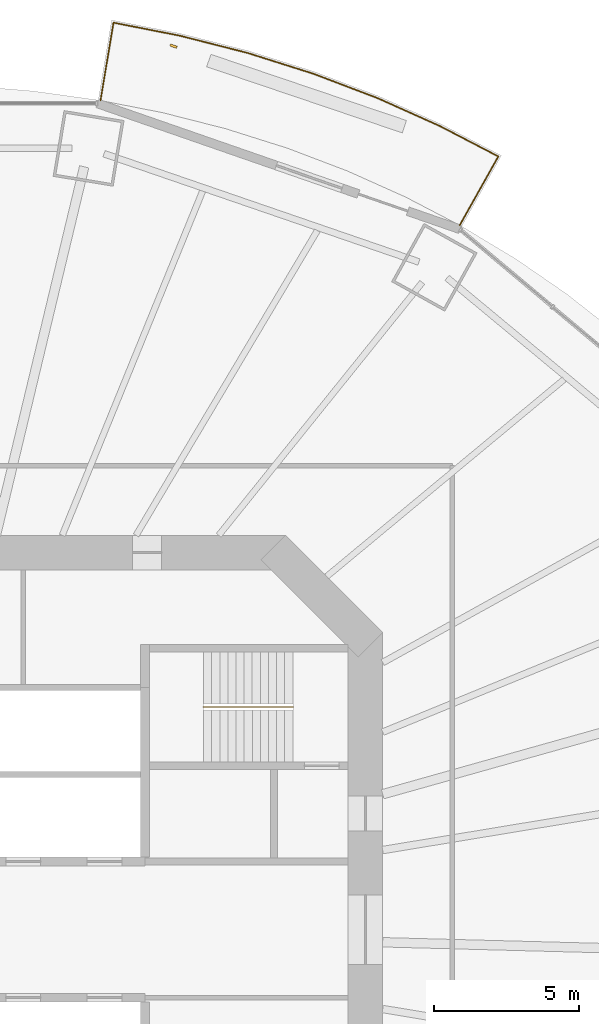
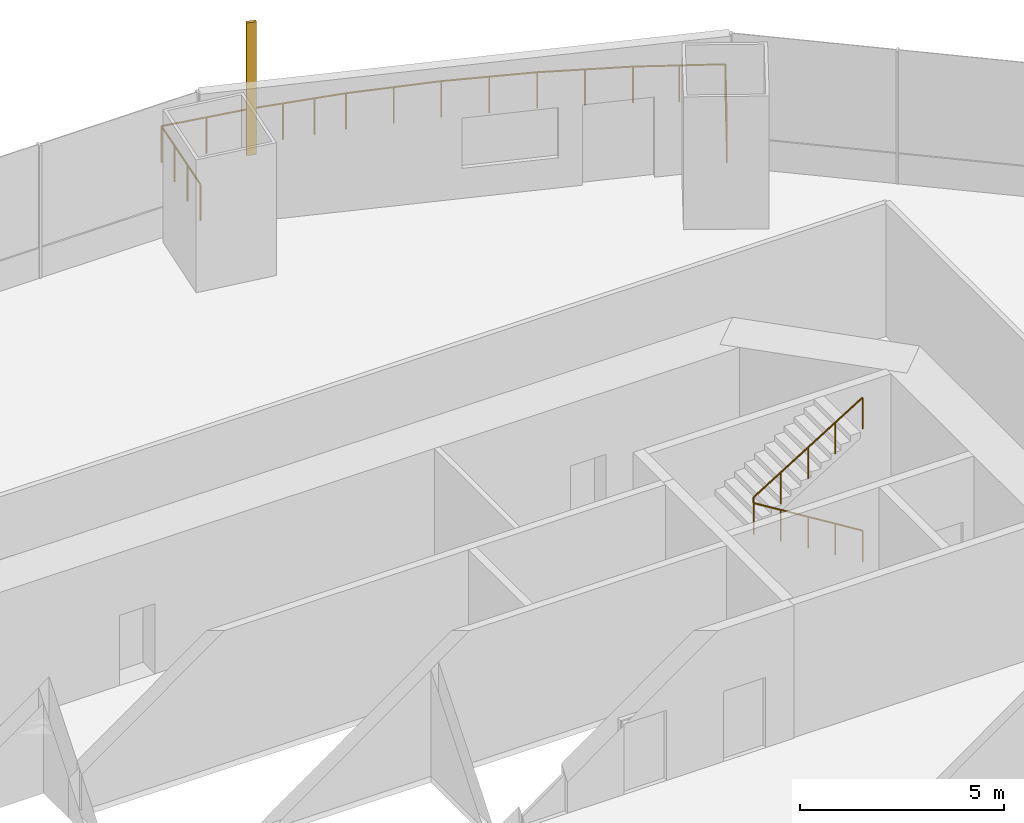
# One storey, part 20 of 22: 2 railings, 1 shading device.
"""IFC4 building model written with IfcOpenShell, lengths in metres."""

from ifc_helpers import new_model, si_unit, direction, frame, origin, origin_2d, place, context, subcontext, project, spatial, rectangle, circle, extrude, material, material_profile, profile_set, type_object, element, save


model = new_model("IFC4")

# Units and contexts
model_context = context("Model", 3, precision=1e-05, world=origin(), true_north=direction((0.0, 1.0)))
body_context = subcontext(model_context, "Body", "Model", "MODEL_VIEW")
ifc_project = project(units=[si_unit("LENGTHUNIT", "METRE"), si_unit("AREAUNIT", "SQUARE_METRE"), si_unit("VOLUMEUNIT", "CUBIC_METRE"), si_unit("PLANEANGLEUNIT", "RADIAN"), si_unit("MASSUNIT", "GRAM", prefix="KILO")], contexts=[model_context])

# Site, building, storey
site_placement = place(None, origin())
site = spatial("IfcSite", under=ifc_project, at=site_placement, CompositionType="ELEMENT")
building_placement = place(site_placement, origin())
building = spatial("IfcBuilding", under=site, at=building_placement, Name="Marenthal Gate Tower", CompositionType="ELEMENT")
storey_placement = place(building_placement, frame((0.0, 0.0, 95.25)))
storey = spatial("IfcBuildingStorey", under=building, at=storey_placement, Name="L19", CompositionType="ELEMENT", Elevation=95.25)

# Railings
ifc_material_1 = material(Name="Stainless steel", Category="steel")
railing_type_1 = type_object("IfcRailingType", Name="Balcony guard 1100", PredefinedType="GUARDRAIL", material=ifc_material_1)
railing_1_placement = place(storey_placement, frame((6.86572265625, 28.59912109375, 0.0)))
element("IfcRailing", 1, at=railing_1_placement, inside=storey, type_object=railing_type_1, Name="Balcony guard L19 bay 3", PredefinedType="GUARDRAIL", context=body_context, shape_type="SweptSolid", body=[
    extrude(circle(Radius=0.02392578125, at=origin_2d()), frame((0.0, 0.0, 1.076171875), z_axis=(0.164584914213, 0.986253111889, -0.014717516865), x_axis=(-0.986359943071, 0.164602742092, 0.0)), (0.0, 0.0, 1.0), 2.720458984375),
    extrude(circle(Radius=0.02392578125, at=origin_2d()), frame((0.44775390625, 2.68310546875, 1.0361328125), z_axis=(0.981231836587, -0.192831747562, 0.0), x_axis=(0.192831747562, 0.981231836587, 0.0)), (0.0, 0.0, 1.0), 2.330810546875),
    extrude(circle(Radius=0.02392578125, at=origin_2d()), frame((2.73486328125, 2.233642578125, 1.0361328125), z_axis=(0.969123243842, -0.246576840449, 0.0), x_axis=(0.246576840449, 0.969123243842, 0.0)), (0.0, 0.0, 1.0), 2.401123046875),
    extrude(circle(Radius=0.02392578125, at=origin_2d()), frame((5.061767578125, 1.6416015625, 1.0361328125), z_axis=(0.953610460093, -0.301043336416, 0.0), x_axis=(0.301043336416, 0.953610460093, 0.0)), (0.0, 0.0, 1.0), 2.38916015625),
    extrude(circle(Radius=0.02392578125, at=origin_2d()), frame((7.340087890625, 0.92236328125, 1.0361328125), z_axis=(0.934799959644, -0.355174654852, 0.0), x_axis=(0.355174654852, 0.934799959644, 0.0)), (0.0, 0.0, 1.0), 2.37548828125),
    extrude(circle(Radius=0.02392578125, at=origin_2d()), frame((9.560791015625, 0.07861328125, 1.0361328125), z_axis=(0.91251864488, -0.409035111876, 0.0), x_axis=(0.409035111876, 0.91251864488, 0.0)), (0.0, 0.0, 1.0), 2.360107421875),
    extrude(circle(Radius=0.02392578125, at=origin_2d()), frame((11.71435546875, -0.88671875, 1.0361328125), z_axis=(0.887149676746, -0.461481799261, 0.0), x_axis=(0.461481799261, 0.887149676746, 0.0)), (0.0, 0.0, 1.0), 2.26318359375),
    extrude(circle(Radius=0.02392578125, at=origin_2d()), frame((13.72216796875, -1.93115234375, 1.0361328125), z_axis=(-0.489129707977, -0.872086857323, 0.014718765524), x_axis=(0.872181338021, -0.489182699621, 0.0)), (0.0, 0.0, 1.0), 2.72021484375),
    extrude(circle(Radius=0.02099609375, at=origin_2d()), origin(), (0.0, 0.0, 1.0), 1.052001953125),
    extrude(circle(Radius=0.02099609375, at=origin_2d()), frame((0.149169921875, 0.894287109375, -0.013427734375)), (0.0, 0.0, 1.0), 1.052001953125),
    extrude(circle(Radius=0.02099609375, at=origin_2d()), frame((0.298583984375, 1.788818359375, -0.026611328125)), (0.0, 0.0, 1.0), 1.052001953125),
    extrude(circle(Radius=0.02099609375, at=origin_2d()), frame((0.44775390625, 2.68310546875, -0.0400390625)), (0.0, 0.0, 1.0), 1.052001953125),
    extrude(circle(Radius=0.02099609375, at=origin_2d()), frame((1.59130859375, 2.45849609375, -0.0400390625)), (0.0, 0.0, 1.0), 1.052001953125),
    extrude(circle(Radius=0.02099609375, at=origin_2d()), frame((2.73486328125, 2.233642578125, -0.0400390625)), (0.0, 0.0, 1.0), 1.052001953125),
    extrude(circle(Radius=0.02099609375, at=origin_2d()), frame((3.510498046875, 2.036376953125, -0.0400390625)), (0.0, 0.0, 1.0), 1.052001953125),
    extrude(circle(Radius=0.02099609375, at=origin_2d()), frame((4.2861328125, 1.8388671875, -0.0400390625)), (0.0, 0.0, 1.0), 1.052001953125),
    extrude(circle(Radius=0.02099609375, at=origin_2d()), frame((5.061767578125, 1.6416015625, -0.0400390625)), (0.0, 0.0, 1.0), 1.052001953125),
    extrude(circle(Radius=0.02099609375, at=origin_2d()), frame((6.200927734375, 1.281982421875, -0.0400390625)), (0.0, 0.0, 1.0), 1.052001953125),
    extrude(circle(Radius=0.02099609375, at=origin_2d()), frame((7.340087890625, 0.92236328125, -0.0400390625)), (0.0, 0.0, 1.0), 1.052001953125),
    extrude(circle(Radius=0.02099609375, at=origin_2d()), frame((8.450439453125, 0.50048828125, -0.0400390625)), (0.0, 0.0, 1.0), 1.052001953125),
    extrude(circle(Radius=0.02099609375, at=origin_2d()), frame((9.560791015625, 0.07861328125, -0.0400390625)), (0.0, 0.0, 1.0), 1.052001953125),
    extrude(circle(Radius=0.02099609375, at=origin_2d()), frame((10.6376953125, -0.404052734375, -0.0400390625)), (0.0, 0.0, 1.0), 1.052001953125),
    extrude(circle(Radius=0.02099609375, at=origin_2d()), frame((11.71435546875, -0.88671875, -0.0400390625)), (0.0, 0.0, 1.0), 1.052001953125),
    extrude(circle(Radius=0.02099609375, at=origin_2d()), frame((12.71826171875, -1.408935546875, -0.0400390625)), (0.0, 0.0, 1.0), 1.052001953125),
    extrude(circle(Radius=0.02099609375, at=origin_2d()), frame((13.72216796875, -1.93115234375, -0.0400390625)), (0.0, 0.0, 1.0), 1.052001953125),
    extrude(circle(Radius=0.02099609375, at=origin_2d()), frame((13.278564453125, -2.721923828125, -0.026611328125)), (0.0, 0.0, 1.0), 1.052001953125),
    extrude(circle(Radius=0.02099609375, at=origin_2d()), frame((12.835205078125, -3.5126953125, -0.013427734375)), (0.0, 0.0, 1.0), 1.052001953125),
    extrude(circle(Radius=0.02099609375, at=origin_2d()), frame((12.3916015625, -4.303466796875, 0.0)), (0.0, 0.0, 1.0), 1.052001953125),
])
ifc_material_2 = material(Name="Stainless steel", Category="steel")
railing_type_2 = type_object("IfcRailingType", Name="Stair handrail", PredefinedType="HANDRAIL", material=ifc_material_2)
railing_2_placement = place(storey_placement, frame((13.5, 7.675048828125, 0.1728515625)))
element("IfcRailing", 2, at=railing_2_placement, inside=storey, type_object=railing_type_2, Name="Handrail ST3", PredefinedType="HANDRAIL", context=body_context, shape_type="SweptSolid", body=[
    extrude(circle(Radius=0.0224609375, at=origin_2d()), frame((0.0, 0.0, 0.927490234375), z_axis=(-0.850835241893, 0.0, 0.525432575268), x_axis=(0.0, -1.0, 0.0)), (0.0, 0.0, 1.0), 3.6201171875),
    extrude(circle(Radius=0.0224609375, at=origin_2d()), frame((-3.080078125, 0.0, 2.82958984375), z_axis=(0.0, 0.0, 1.0), x_axis=(1.0, 0.0, 0.0)), (0.0, 0.0, 1.0), 0.1728515625),
    extrude(circle(Radius=0.0224609375, at=origin_2d()), frame((-3.080078125, 0.0, 3.00244140625), z_axis=(0.850835241893, 0.0, 0.525432575268), x_axis=(0.0, 1.0, 0.0)), (0.0, 0.0, 1.0), 3.6201171875),
    extrude(circle(Radius=0.02001953125, at=origin_2d()), origin(), (0.0, 0.0, 1.0), 0.905029296875),
    extrude(circle(Radius=0.02001953125, at=origin_2d()), frame((-0.77001953125, 0.0, 0.4755859375)), (0.0, 0.0, 1.0), 0.905029296875),
    extrude(circle(Radius=0.02001953125, at=origin_2d()), frame((-1.5400390625, 0.0, 0.951171875)), (0.0, 0.0, 1.0), 0.905029296875),
    extrude(circle(Radius=0.02001953125, at=origin_2d()), frame((-2.31005859375, 0.0, 1.426513671875)), (0.0, 0.0, 1.0), 0.905029296875),
    extrude(circle(Radius=0.02001953125, at=origin_2d()), frame((-3.080078125, 0.0, 1.902099609375)), (0.0, 0.0, 1.0), 0.905029296875),
    extrude(circle(Radius=0.02001953125, at=origin_2d()), frame((-3.080078125, 0.0, 2.074951171875)), (0.0, 0.0, 1.0), 0.905029296875),
    extrude(circle(Radius=0.02001953125, at=origin_2d()), frame((-2.31005859375, 0.0, 2.550537109375)), (0.0, 0.0, 1.0), 0.905029296875),
    extrude(circle(Radius=0.02001953125, at=origin_2d()), frame((-1.5400390625, 0.0, 3.02587890625)), (0.0, 0.0, 1.0), 0.905029296875),
    extrude(circle(Radius=0.02001953125, at=origin_2d()), frame((-0.77001953125, 0.0, 3.50146484375)), (0.0, 0.0, 1.0), 0.905029296875),
    extrude(circle(Radius=0.02001953125, at=origin_2d()), frame((0.0, 0.0, 3.97705078125)), (0.0, 0.0, 1.0), 0.905029296875),
])

# Shading device
ifc_material_3 = material(Name="Terracotta", Category="masonry")
ifc_material_profile = material_profile(ifc_material_3, rectangle(XDim=0.25, YDim=0.080078125, at=origin_2d()), Name="Terracotta baguette 250x80")
ifc_profile_set = profile_set([ifc_material_profile], Name="Terracotta")
shading_device_type = type_object("IfcShadingDeviceType", Name="Terracotta BAGUETTE SCREEN 250x80", PredefinedType="USERDEFINED", material=ifc_profile_set)
shading_device_placement = place(storey_placement, frame((9.382568359375, 30.47314453125, -0.0400390625), z_axis=(0.0, 0.0, 1.0), x_axis=(-0.94461425051, 0.328182750512, 0.0)))
element("IfcShadingDevice", 3, at=shading_device_placement, inside=storey, type_object=shading_device_type, Name="Terracotta BAGUETTE L19 bay 3R", ObjectType="BAGUETTE SCREEN", PredefinedType="USERDEFINED", context=body_context, shape_type="SweptSolid", body=[
    extrude(rectangle(XDim=0.25, YDim=0.080078125, at=origin_2d()), origin(), (0.0, 0.0, 1.0), 3.969970703125),
])

save(model, "model.ifc")
